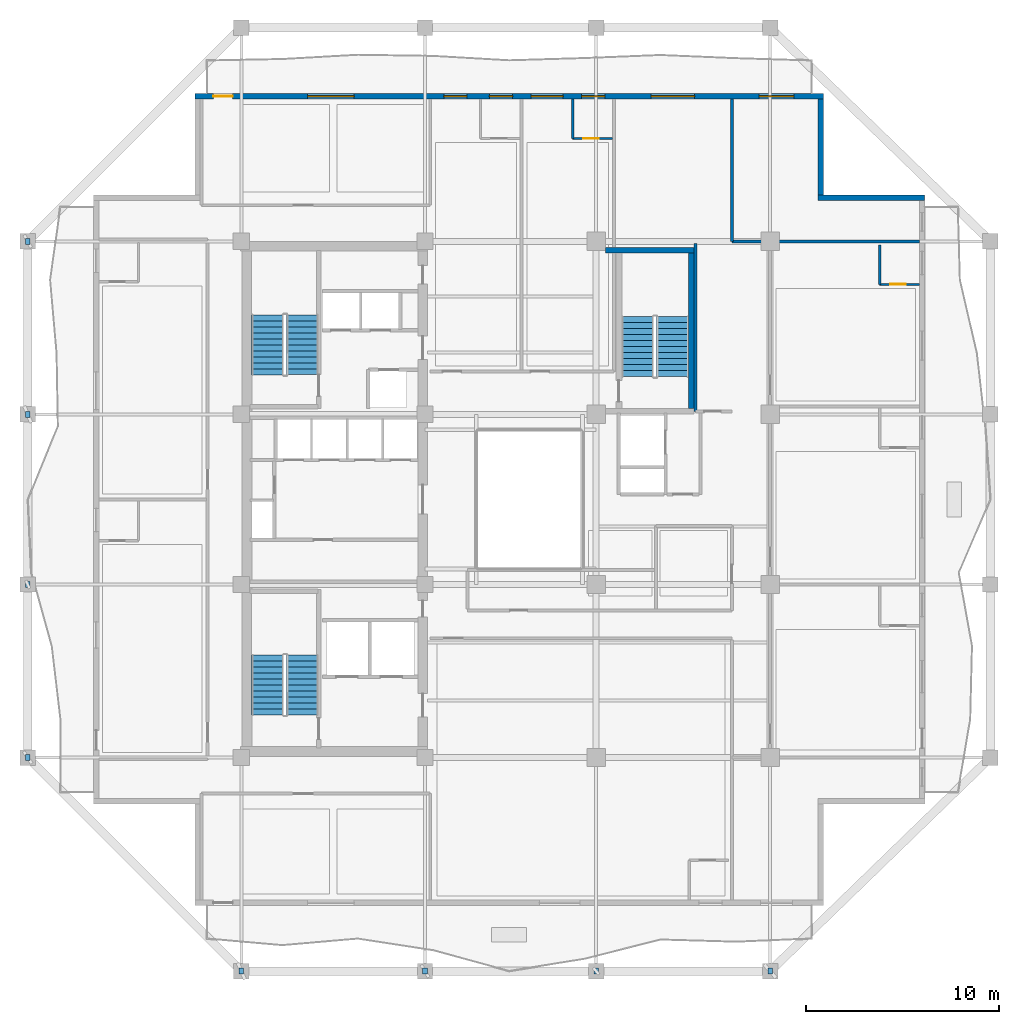
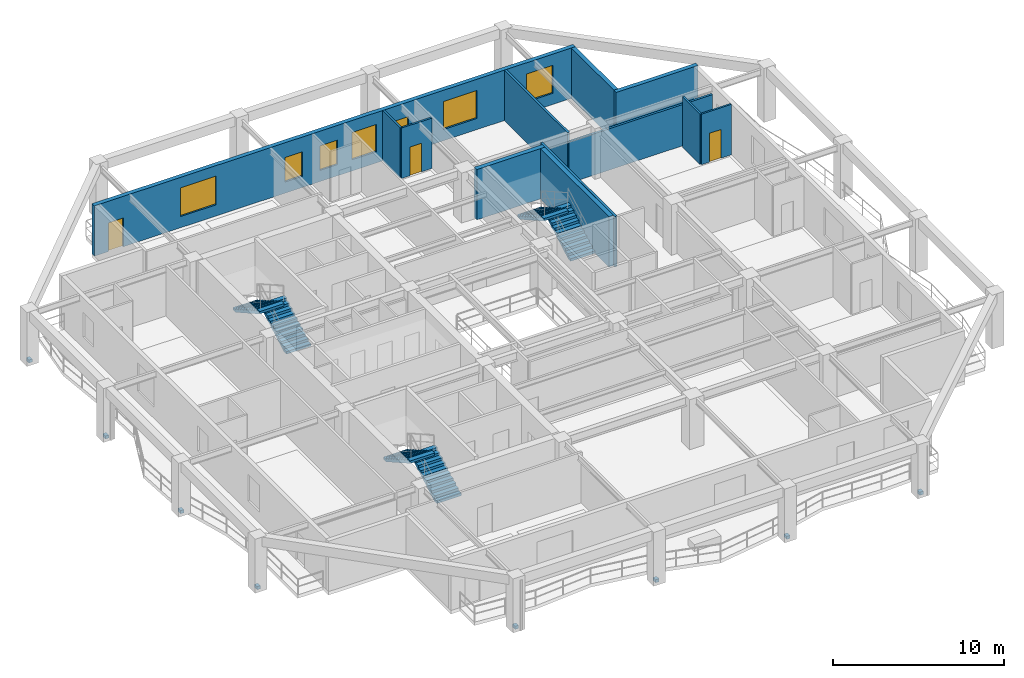
# One storey, part 6 of 12: 12 walls, 8 discrete accessories, 7 windows, 6 stair flights, 3 doors, 10 openings, 3 elements without a shape of their own.
"""IFC4 building model written with IfcOpenShell, lengths in metres."""

from ifc_helpers import new_model, si_unit, direction, frame, frame_2d, origin, origin_2d, place, context, subcontext, project, spatial, polyline, rectangle, outline, extrude, material, layer, layer_set, type_object, element, fill, aggregate, save


model = new_model("IFC4")

# Units and contexts
model_context = context("Model", 3, precision=1e-05, world=origin(), true_north=direction((0.0, 1.0)))
body_context = subcontext(model_context, "Body", "Model", "MODEL_VIEW")
ifc_project = project(units=[si_unit("LENGTHUNIT", "METRE"), si_unit("AREAUNIT", "SQUARE_METRE"), si_unit("VOLUMEUNIT", "CUBIC_METRE"), si_unit("PLANEANGLEUNIT", "RADIAN"), si_unit("MASSUNIT", "GRAM", prefix="KILO")], contexts=[model_context])

# Site, building, storey
site_placement = place(None, origin())
site = spatial("IfcSite", under=ifc_project, at=site_placement, CompositionType="ELEMENT")
building_placement = place(site_placement, origin())
building = spatial("IfcBuilding", under=site, at=building_placement, Name="Kundavana Baori Tower", CompositionType="ELEMENT")
storey_placement = place(building_placement, frame((0.0, 0.0, 196.39990234375)))
storey = spatial("IfcBuildingStorey", under=building, at=storey_placement, Name="L48", CompositionType="ELEMENT", Elevation=196.39990234375)

# Walls
ifc_material_1 = material(Name="Red-Buff Dholpur Sandstone Cladding on Concrete C40/50", Category="masonry")
ifc_layer_1 = layer(ifc_material_1, 0.280029296875, Name="WL-EXT-SAND-280")
ifc_layer_set_1 = layer_set([ifc_layer_1], Name="Red-Buff Dholpur Sandstone Cladding on Concrete C40/50")
wall_type_1 = type_object("IfcWallType", Name="WL-EXT-SAND-280", PredefinedType="STANDARD", material=ifc_layer_set_1)
wall_1_placement = place(storey_placement, frame((50.800048828125, 44.2099609375, 0.0), z_axis=(0.0, 0.0, 1.0), x_axis=(-1.0, 0.0, 0.0)))
element("IfcWall", 1, at=wall_1_placement, inside=storey, type_object=wall_type_1, Name="L48 Exterior Insulated Facade Wall 05", PredefinedType="STANDARD", context=body_context, shape_type="SweptSolid", body=[
    extrude(rectangle(XDim=5.530029296875, YDim=0.280029296875, at=frame_2d((2.76513671875, 0.0))), origin(), (0.0, 0.0, 1.0), 3.60009765625),
])
wall_2_placement = place(storey_placement, frame((45.409912109375, 44.35009765625, 0.0), z_axis=(0.0, 0.0, 1.0), x_axis=(0.0, 1.0, 0.0)))
element("IfcWall", 2, at=wall_2_placement, inside=storey, type_object=wall_type_1, Name="L48 Exterior Insulated Facade Wall 06", PredefinedType="STANDARD", context=body_context, shape_type="SweptSolid", body=[
    extrude(rectangle(XDim=4.969970703125, YDim=0.280029296875, at=frame_2d((2.48486328125, 0.0))), origin(), (0.0, 0.0, 1.0), 3.60009765625),
])

# Wall, openings, door, windows
wall_3_placement = place(storey_placement, frame((45.550048828125, 49.4599609375, 0.0), z_axis=(0.0, 0.0, 1.0), x_axis=(-1.0, 0.0, 0.0)))
wall_3 = element("IfcWall", 3, at=wall_3_placement, inside=storey, type_object=wall_type_1, Name="L48 Exterior Insulated Facade Wall 07", PredefinedType="STANDARD", context=body_context, shape_type="SweptSolid", body=[
    extrude(rectangle(XDim=32.5, YDim=0.280029296875, at=frame_2d((16.25, 0.0))), origin(), (0.0, 0.0, 1.0), 3.60009765625),
])
opening_1_placement = place(wall_3_placement, frame((30.550048828125, 0.0, 0.0)))
opening_1 = element("IfcOpeningElement", 4, at=opening_1_placement, cuts=wall_3, Name="Opening BD-1", PredefinedType="OPENING", context=body_context, shape_type="SweptSolid", body=[
    extrude(rectangle(XDim=1.0, YDim=2.050048828125, at=frame_2d((0.5, 1.02490234375))), frame((0.0, 0.14990234375, 0.0), z_axis=(0.0, -1.0, 0.0), x_axis=(1.0, 0.0, 0.0)), (0.0, 0.0, 1.0), 0.300048828125),
])
opening_2_placement = place(wall_3_placement, frame((24.27001953125, 0.0, 0.800048828125)))
opening_2 = element("IfcOpeningElement", 5, at=opening_2_placement, cuts=wall_3, Name="Opening W-04", PredefinedType="OPENING", context=body_context, shape_type="SweptSolid", body=[
    extrude(rectangle(XDim=2.39990234375, YDim=2.050048828125, at=frame_2d((1.199951171875, 1.02490234375))), frame((0.0, 0.14990234375, 0.0), z_axis=(0.0, -1.0, 0.0), x_axis=(1.0, 0.0, 0.0)), (0.0, 0.0, 1.0), 0.300048828125),
])
opening_3_placement = place(wall_3_placement, frame((18.429931640625, 0.0, 0.800048828125)))
opening_3 = element("IfcOpeningElement", 6, at=opening_3_placement, cuts=wall_3, Name="Opening W-03", PredefinedType="OPENING", context=body_context, shape_type="SweptSolid", body=[
    extrude(rectangle(XDim=1.199951171875, YDim=1.75, at=frame_2d((0.60009765625, 0.875))), frame((0.0, 0.14990234375, 0.0), z_axis=(0.0, -1.0, 0.0), x_axis=(1.0, 0.0, 0.0)), (0.0, 0.0, 1.0), 0.300048828125),
])
opening_4_placement = place(wall_3_placement, frame((16.06494140625, 0.0, 0.800048828125)))
opening_4 = element("IfcOpeningElement", 7, at=opening_4_placement, cuts=wall_3, Name="Opening W-03", PredefinedType="OPENING", context=body_context, shape_type="SweptSolid", body=[
    extrude(rectangle(XDim=1.199951171875, YDim=1.75, at=frame_2d((0.60009765625, 0.875))), frame((0.0, 0.14990234375, 0.0), z_axis=(0.0, -1.0, 0.0), x_axis=(1.0, 0.0, 0.0)), (0.0, 0.0, 1.0), 0.300048828125),
])
opening_5_placement = place(wall_3_placement, frame((13.455078125, 0.0, 0.800048828125)))
opening_5 = element("IfcOpeningElement", 8, at=opening_5_placement, cuts=wall_3, Name="Opening W-08", PredefinedType="OPENING", context=body_context, shape_type="SweptSolid", body=[
    extrude(rectangle(XDim=1.64990234375, YDim=1.949951171875, at=frame_2d((0.824951171875, 0.97509765625))), frame((0.0, 0.14990234375, 0.0), z_axis=(0.0, -1.0, 0.0), x_axis=(1.0, 0.0, 0.0)), (0.0, 0.0, 1.0), 0.300048828125),
])
opening_6_placement = place(wall_3_placement, frame((11.294921875, 0.0, 0.800048828125)))
opening_6 = element("IfcOpeningElement", 9, at=opening_6_placement, cuts=wall_3, Name="Opening W-03", PredefinedType="OPENING", context=body_context, shape_type="SweptSolid", body=[
    extrude(rectangle(XDim=1.199951171875, YDim=1.75, at=frame_2d((0.60009765625, 0.875))), frame((0.0, 0.14990234375, 0.0), z_axis=(0.0, -1.0, 0.0), x_axis=(1.0, 0.0, 0.0)), (0.0, 0.0, 1.0), 0.300048828125),
])
opening_7_placement = place(wall_3_placement, frame((6.655029296875, 0.0, 0.800048828125)))
opening_7 = element("IfcOpeningElement", 10, at=opening_7_placement, cuts=wall_3, Name="Opening W-10", PredefinedType="OPENING", context=body_context, shape_type="SweptSolid", body=[
    extrude(rectangle(XDim=2.25, YDim=2.0, at=frame_2d((1.125, 1.0))), frame((0.0, 0.14990234375, 0.0), z_axis=(0.0, -1.0, 0.0), x_axis=(1.0, 0.0, 0.0)), (0.0, 0.0, 1.0), 0.300048828125),
])
opening_8_placement = place(wall_3_placement, frame((1.52001953125, 0.0, 0.800048828125)))
opening_8 = element("IfcOpeningElement", 11, at=opening_8_placement, cuts=wall_3, Name="Opening W-01", PredefinedType="OPENING", context=body_context, shape_type="SweptSolid", body=[
    extrude(rectangle(XDim=1.800048828125, YDim=2.0, at=frame_2d((0.89990234375, 1.0))), frame((0.0, 0.14990234375, 0.0), z_axis=(0.0, -1.0, 0.0), x_axis=(1.0, 0.0, 0.0)), (0.0, 0.0, 1.0), 0.300048828125),
])
ifc_material_2 = material(Name="Architectural Patinated Bronze Metalwork")
door_type_1 = type_object("IfcDoorType", Name="DR-EXT-LOG-1000", OperationType="NOTDEFINED", PredefinedType="DOOR", material=ifc_material_2)
door_1_placement = place(opening_1_placement, frame((1.0, 0.0, 0.0), z_axis=(0.0, 0.0, 1.0), x_axis=(-1.0, 0.0, 0.0)))
door_1 = element("IfcDoor", 12, at=door_1_placement, inside=storey, type_object=door_type_1, Name="L48 Loggia Balcony Access Door N", OperationType="SINGLE_SWING_LEFT", OverallHeight=2.050048828125, OverallWidth=1.0, PredefinedType="DOOR", context=body_context, shape_type="SweptSolid", body=[
    extrude(rectangle(XDim=1.0, YDim=2.050048828125, at=frame_2d((0.5, 1.02490234375))), frame((0.0, 0.02490234375, 0.0), z_axis=(0.0, -1.0, 0.0), x_axis=(1.0, 0.0, 0.0)), (0.0, 0.0, 1.0), 0.050048828125),
])
fill(opening_1, door_1)
ifc_material_3 = material(Name="Double-Glazed Solar-Control Low-E Insulated Glass", Category="glass")
window_type_1 = type_object("IfcWindowType", Name="WIN-LOG-1200x1750", PartitioningType="SINGLE_PANEL", PredefinedType="WINDOW", material=ifc_material_3)
window_1_placement = place(opening_3_placement, origin())
window_1 = element("IfcWindow", 13, at=window_1_placement, inside=storey, type_object=window_type_1, Name="L48 Recessed Loggia Window N-2", OverallHeight=1.75, OverallWidth=1.199951171875, PartitioningType="SINGLE_PANEL", PredefinedType="WINDOW", context=body_context, shape_type="SweptSolid", body=[
    extrude(rectangle(XDim=1.199951171875, YDim=1.75, at=frame_2d((0.60009765625, 0.875))), frame((0.0, 0.030029296875, 0.0), z_axis=(0.0, -1.0, 0.0), x_axis=(1.0, 0.0, 0.0)), (0.0, 0.0, 1.0), 0.06005859375),
])
fill(opening_3, window_1)
window_2_placement = place(opening_4_placement, origin())
window_2 = element("IfcWindow", 14, at=window_2_placement, inside=storey, type_object=window_type_1, Name="L48 Recessed Loggia Window N-3", OverallHeight=1.75, OverallWidth=1.199951171875, PartitioningType="SINGLE_PANEL", PredefinedType="WINDOW", context=body_context, shape_type="SweptSolid", body=[
    extrude(rectangle(XDim=1.199951171875, YDim=1.75, at=frame_2d((0.60009765625, 0.875))), frame((0.0, 0.030029296875, 0.0), z_axis=(0.0, -1.0, 0.0), x_axis=(1.0, 0.0, 0.0)), (0.0, 0.0, 1.0), 0.06005859375),
])
fill(opening_4, window_2)
window_3_placement = place(opening_6_placement, origin())
window_3 = element("IfcWindow", 15, at=window_3_placement, inside=storey, type_object=window_type_1, Name="L48 Recessed Loggia Window N-5", OverallHeight=1.75, OverallWidth=1.199951171875, PartitioningType="SINGLE_PANEL", PredefinedType="WINDOW", context=body_context, shape_type="SweptSolid", body=[
    extrude(rectangle(XDim=1.199951171875, YDim=1.75, at=frame_2d((0.60009765625, 0.875))), frame((0.0, 0.030029296875, 0.0), z_axis=(0.0, -1.0, 0.0), x_axis=(1.0, 0.0, 0.0)), (0.0, 0.0, 1.0), 0.06005859375),
])
fill(opening_6, window_3)
ifc_material_4 = material(Name="Double-Glazed Solar-Control Low-E Insulated Glass", Category="glass")
window_type_2 = type_object("IfcWindowType", Name="WIN-LOG-1650x1950", PartitioningType="SINGLE_PANEL", PredefinedType="WINDOW", material=ifc_material_4)
window_4_placement = place(opening_5_placement, origin())
window_4 = element("IfcWindow", 16, at=window_4_placement, inside=storey, type_object=window_type_2, Name="L48 Recessed Loggia Window N-4", OverallHeight=1.949951171875, OverallWidth=1.64990234375, PartitioningType="SINGLE_PANEL", PredefinedType="WINDOW", context=body_context, shape_type="SweptSolid", body=[
    extrude(rectangle(XDim=1.64990234375, YDim=1.949951171875, at=frame_2d((0.824951171875, 0.97509765625))), frame((0.0, 0.030029296875, 0.0), z_axis=(0.0, -1.0, 0.0), x_axis=(1.0, 0.0, 0.0)), (0.0, 0.0, 1.0), 0.06005859375),
])
fill(opening_5, window_4)
ifc_material_5 = material(Name="Double-Glazed Solar-Control Low-E Insulated Glass", Category="glass")
window_type_3 = type_object("IfcWindowType", Name="WIN-LOG-1800x2000", PartitioningType="SINGLE_PANEL", PredefinedType="WINDOW", material=ifc_material_5)
window_5_placement = place(opening_8_placement, origin())
window_5 = element("IfcWindow", 17, at=window_5_placement, inside=storey, type_object=window_type_3, Name="L48 Recessed Loggia Window N-7", OverallHeight=2.0, OverallWidth=1.800048828125, PartitioningType="SINGLE_PANEL", PredefinedType="WINDOW", context=body_context, shape_type="SweptSolid", body=[
    extrude(rectangle(XDim=1.800048828125, YDim=2.0, at=frame_2d((0.89990234375, 1.0))), frame((0.0, 0.030029296875, 0.0), z_axis=(0.0, -1.0, 0.0), x_axis=(1.0, 0.0, 0.0)), (0.0, 0.0, 1.0), 0.06005859375),
])
fill(opening_8, window_5)
ifc_material_6 = material(Name="Double-Glazed Solar-Control Low-E Insulated Glass", Category="glass")
window_type_4 = type_object("IfcWindowType", Name="WIN-LOG-2250x2000", PartitioningType="SINGLE_PANEL", PredefinedType="WINDOW", material=ifc_material_6)
window_6_placement = place(opening_7_placement, origin())
window_6 = element("IfcWindow", 18, at=window_6_placement, inside=storey, type_object=window_type_4, Name="L48 Recessed Loggia Window N-6", OverallHeight=2.0, OverallWidth=2.25, PartitioningType="SINGLE_PANEL", PredefinedType="WINDOW", context=body_context, shape_type="SweptSolid", body=[
    extrude(rectangle(XDim=2.25, YDim=2.0, at=frame_2d((1.125, 1.0))), frame((0.0, 0.030029296875, 0.0), z_axis=(0.0, -1.0, 0.0), x_axis=(1.0, 0.0, 0.0)), (0.0, 0.0, 1.0), 0.06005859375),
])
fill(opening_7, window_6)
ifc_material_7 = material(Name="Double-Glazed Solar-Control Low-E Insulated Glass", Category="glass")
window_type_5 = type_object("IfcWindowType", Name="WIN-LOG-2400x2050", PartitioningType="SINGLE_PANEL", PredefinedType="WINDOW", material=ifc_material_7)
window_7_placement = place(opening_2_placement, origin())
window_7 = element("IfcWindow", 19, at=window_7_placement, inside=storey, type_object=window_type_5, Name="L48 Recessed Loggia Window N-1", OverallHeight=2.050048828125, OverallWidth=2.39990234375, PartitioningType="SINGLE_PANEL", PredefinedType="WINDOW", context=body_context, shape_type="SweptSolid", body=[
    extrude(rectangle(XDim=2.39990234375, YDim=2.050048828125, at=frame_2d((1.199951171875, 1.02490234375))), frame((0.0, 0.030029296875, 0.0), z_axis=(0.0, -1.0, 0.0), x_axis=(1.0, 0.0, 0.0)), (0.0, 0.0, 1.0), 0.06005859375),
])
fill(opening_2, window_7)

# Walls
ifc_material_8 = material(Name="Fire-Rated Gypsum Drywall on Galvanised Steel Studs", Category="steel")
ifc_layer_2 = layer(ifc_material_8, 0.14990234375, Name="WL-PART-150")
ifc_layer_set_2 = layer_set([ifc_layer_2], Name="Fire-Rated Gypsum Drywall on Galvanised Steel Studs")
wall_type_2 = type_object("IfcWallType", Name="WL-PART-150", PredefinedType="PARTITIONING", material=ifc_layer_set_2)
wall_4_placement = place(storey_placement, frame((40.820068359375, 41.949951171875, 0.0), z_axis=(0.0, 0.0, 1.0), x_axis=(1.0, 0.0, 0.0)))
element("IfcWall", 20, at=wall_4_placement, inside=storey, type_object=wall_type_2, Name="WL-L48-HEN", PredefinedType="PARTITIONING", context=body_context, shape_type="SweptSolid", body=[
    extrude(rectangle(XDim=9.699951171875, YDim=0.14990234375, at=frame_2d((4.85009765625, 0.0))), origin(), (0.0, 0.0, 1.0), 2.9501953125),
])
wall_5_placement = place(storey_placement, frame((38.949951171875, 33.14990234375, 0.0), z_axis=(0.0, 0.0, 1.0), x_axis=(0.0, 1.0, 0.0)))
element("IfcWall", 21, at=wall_5_placement, inside=storey, type_object=wall_type_2, Name="WL-L48-HNEW", PredefinedType="PARTITIONING", context=body_context, shape_type="SweptSolid", body=[
    extrude(rectangle(XDim=8.7001953125, YDim=0.14990234375, at=frame_2d((4.35009765625, 0.0))), origin(), (0.0, 0.0, 1.0), 3.60009765625),
])
wall_6_placement = place(storey_placement, frame((40.820068359375, 41.949951171875, 0.0), z_axis=(0.0, 0.0, 1.0), x_axis=(0.0, 1.0, 0.0)))
element("IfcWall", 22, at=wall_6_placement, inside=storey, type_object=wall_type_2, Name="WL-L48-HNEE", PredefinedType="PARTITIONING", context=body_context, shape_type="SweptSolid", body=[
    extrude(rectangle(XDim=7.3701171875, YDim=0.14990234375, at=frame_2d((3.68505859375, 0.0))), origin(), (0.0, 0.0, 1.0), 3.60009765625),
])
ifc_material_9 = material(Name="Concrete C50/60", Category="concrete")
ifc_layer_3 = layer(ifc_material_9, 0.300048828125, Name="WL-ST3-300")
ifc_layer_set_3 = layer_set([ifc_layer_3], Name="Concrete C50/60")
wall_type_3 = type_object("IfcWallType", Name="WL-ST3-300", PredefinedType="SHEAR", material=ifc_layer_set_3)
wall_7_placement = place(storey_placement, frame((34.27490234375, 41.489990234375, 0.0), z_axis=(0.0, 0.0, 1.0), x_axis=(1.0, 0.0, 0.0)))
element("IfcWall", 23, at=wall_7_placement, inside=storey, type_object=wall_type_3, Name="L48 Stair ST3 North Shear Wall", PredefinedType="SHEAR", context=body_context, shape_type="SweptSolid", body=[
    extrude(rectangle(XDim=4.59521484375, YDim=0.300048828125, at=frame_2d((2.297607421875, 0.0))), origin(), (0.0, 0.0, 1.0), 3.60009765625),
])
wall_8_placement = place(storey_placement, frame((38.719970703125, 33.31005859375, 0.0), z_axis=(0.0, 0.0, 1.0), x_axis=(0.0, 1.0, 0.0)))
element("IfcWall", 24, at=wall_8_placement, inside=storey, type_object=wall_type_3, Name="L48 Stair ST3 East Shear Wall", PredefinedType="SHEAR", context=body_context, shape_type="SweptSolid", body=[
    extrude(rectangle(XDim=8.030029296875, YDim=0.300048828125, at=frame_2d((4.01513671875, 0.0))), origin(), (0.0, 0.0, 1.0), 3.60009765625),
])
ifc_material_10 = material(Name="Autoclaved Aerated Concrete Blockwork Masonry", Category="masonry")
ifc_layer_4 = layer(ifc_material_10, 0.125, Name="WL-WET-120")
ifc_layer_set_4 = layer_set([ifc_layer_4], Name="Autoclaved Aerated Concrete Blockwork Masonry")
wall_type_4 = type_object("IfcWallType", Name="WL-WET-120", PredefinedType="PLUMBINGWALL", material=ifc_layer_set_4)
wall_9_placement = place(storey_placement, frame((48.469970703125, 39.719970703125, 0.0), z_axis=(0.0, 0.0, 1.0), x_axis=(0.0, 1.0, 0.0)))
element("IfcWall", 25, at=wall_9_placement, inside=storey, type_object=wall_type_4, Name="WL-L48-HK-E3-BW", PredefinedType="PLUMBINGWALL", context=body_context, shape_type="SweptSolid", body=[
    extrude(rectangle(XDim=2.050048828125, YDim=0.125, at=frame_2d((1.02490234375, 0.0))), origin(), (0.0, 0.0, 1.0), 3.60009765625),
])

# Wall, opening, door
wall_10_placement = place(storey_placement, frame((48.469970703125, 39.719970703125, 0.0), z_axis=(0.0, 0.0, 1.0), x_axis=(1.0, 0.0, 0.0)))
wall_10 = element("IfcWall", 26, at=wall_10_placement, inside=storey, type_object=wall_type_4, Name="WL-L48-HK-E3-BS", PredefinedType="PLUMBINGWALL", context=body_context, shape_type="SweptSolid", body=[
    extrude(rectangle(XDim=2.050048828125, YDim=0.125, at=frame_2d((1.02490234375, 0.0))), origin(), (0.0, 0.0, 1.0), 3.60009765625),
])
opening_9_placement = place(wall_10_placement, frame((0.550048828125, 0.0, 0.0)))
opening_9 = element("IfcOpeningElement", 27, at=opening_9_placement, cuts=wall_10, Name="Opening WD-080", PredefinedType="OPENING", context=body_context, shape_type="SweptSolid", body=[
    extrude(rectangle(XDim=0.800048828125, YDim=2.050048828125, at=frame_2d((0.39990234375, 1.02490234375))), frame((0.0, 0.072509765625, 0.0), z_axis=(0.0, -1.0, 0.0), x_axis=(1.0, 0.0, 0.0)), (0.0, 0.0, 1.0), 0.14501953125),
])
ifc_material_11 = material(Name="Engineered Teak Solid-Core Timber Veneer", Category="wood")
door_type_2 = type_object("IfcDoorType", Name="DR-WET-800", OperationType="NOTDEFINED", PredefinedType="DOOR", material=ifc_material_11)
door_2_placement = place(opening_9_placement, frame((0.800048828125, 0.0, 0.0), z_axis=(0.0, 0.0, 1.0), x_axis=(-1.0, 0.0, 0.0)))
door_2 = element("IfcDoor", 28, at=door_2_placement, inside=storey, type_object=door_type_2, Name="DR-L48-HK-E3-ENS", OperationType="SINGLE_SWING_LEFT", OverallHeight=2.050048828125, OverallWidth=0.800048828125, PredefinedType="DOOR", context=body_context, shape_type="SweptSolid", body=[
    extrude(rectangle(XDim=0.800048828125, YDim=2.050048828125, at=frame_2d((0.39990234375, 1.02490234375))), frame((0.0, 0.02490234375, 0.0), z_axis=(0.0, -1.0, 0.0), x_axis=(1.0, 0.0, 0.0)), (0.0, 0.0, 1.0), 0.050048828125),
])
fill(opening_9, door_2)

# Wall
wall_11_placement = place(storey_placement, frame((32.590087890625, 47.27001953125, 0.0), z_axis=(0.0, 0.0, 1.0), x_axis=(0.0, 1.0, 0.0)))
element("IfcWall", 29, at=wall_11_placement, inside=storey, type_object=wall_type_4, Name="WL-L48-HK-N2-BW", PredefinedType="PLUMBINGWALL", context=body_context, shape_type="SweptSolid", body=[
    extrude(rectangle(XDim=2.050048828125, YDim=0.125, at=frame_2d((1.02490234375, 0.0))), origin(), (0.0, 0.0, 1.0), 3.60009765625),
])

# Wall, opening, door
wall_12_placement = place(storey_placement, frame((32.590087890625, 47.27001953125, 0.0), z_axis=(0.0, 0.0, 1.0), x_axis=(1.0, 0.0, 0.0)))
wall_12 = element("IfcWall", 30, at=wall_12_placement, inside=storey, type_object=wall_type_4, Name="WL-L48-HK-N2-BS", PredefinedType="PLUMBINGWALL", context=body_context, shape_type="SweptSolid", body=[
    extrude(rectangle(XDim=2.0498046875, YDim=0.125, at=frame_2d((1.02490234375, 0.0))), origin(), (0.0, 0.0, 1.0), 3.60009765625),
])
opening_10_placement = place(wall_12_placement, frame((0.550048828125, 0.0, 0.0)))
opening_10 = element("IfcOpeningElement", 31, at=opening_10_placement, cuts=wall_12, Name="Opening WD-080", PredefinedType="OPENING", context=body_context, shape_type="SweptSolid", body=[
    extrude(rectangle(XDim=0.800048828125, YDim=2.050048828125, at=frame_2d((0.39990234375, 1.02490234375))), frame((0.0, 0.072509765625, 0.0), z_axis=(0.0, -1.0, 0.0), x_axis=(1.0, 0.0, 0.0)), (0.0, 0.0, 1.0), 0.14501953125),
])
door_3_placement = place(opening_10_placement, frame((0.800048828125, 0.0, 0.0), z_axis=(0.0, 0.0, 1.0), x_axis=(-1.0, 0.0, 0.0)))
door_3 = element("IfcDoor", 32, at=door_3_placement, inside=storey, type_object=door_type_2, Name="DR-L48-HK-N2-ENS", OperationType="SINGLE_SWING_LEFT", OverallHeight=2.050048828125, OverallWidth=0.800048828125, PredefinedType="DOOR", context=body_context, shape_type="SweptSolid", body=[
    extrude(rectangle(XDim=0.800048828125, YDim=2.050048828125, at=frame_2d((0.39990234375, 1.02490234375))), frame((0.0, 0.02490234375, 0.0), z_axis=(0.0, -1.0, 0.0), x_axis=(1.0, 0.0, 0.0)), (0.0, 0.0, 1.0), 0.050048828125),
])
fill(opening_10, door_3)

# Stair, stair flights
ifc_material_12 = material(Name="Concrete C40/50", Category="concrete")
stair_type = type_object("IfcStairType", Name="STR-DOG-1650", PredefinedType="HALF_TURN_STAIR", material=ifc_material_12)
stair_1_placement = place(storey_placement, origin())
stair_1 = element("IfcStair", 33, at=stair_1_placement, inside=storey, type_object=stair_type, Name="L48 Protected Exit Stair ST1", PredefinedType="HALF_TURN_STAIR")
ifc_material_13 = material(Name="Concrete C40/50", Category="concrete")
stair_flight_type = type_object("IfcStairFlightType", Name="SFL-RC-1650", PredefinedType="STRAIGHT", material=ifc_material_13)
stair_flight_1_placement = place(storey_placement, frame((18.614990234375, 17.449951171875, 0.0), z_axis=(0.0, 0.0, 1.0), x_axis=(0.0, 1.0, 0.0)))
stair_flight_1 = element("IfcStairFlight", 34, at=stair_flight_1_placement, type_object=stair_flight_type, Name="ST1 flight 1", NumberOfRisers=11, NumberOfTreads=10, PredefinedType="STRAIGHT", RiserHeight=0.175, TreadLength=0.31, context=body_context, shape_type="SweptSolid", body=[
    extrude(outline(polyline([(0.0, 0.0), (0.0, 0.175048828125), (0.31005859375, 0.175048828125), (0.31005859375, 0.35009765625), (0.6201171875, 0.35009765625), (0.6201171875, 0.52490234375), (0.929931640625, 0.52490234375), (0.929931640625, 0.699951171875), (1.239990234375, 0.699951171875), (1.239990234375, 0.875), (1.550048828125, 0.875), (1.550048828125, 1.050048828125), (1.860107421875, 1.050048828125), (1.860107421875, 1.22509765625), (2.169921875, 1.22509765625), (2.169921875, 1.39990234375), (2.47998046875, 1.39990234375), (2.47998046875, 1.574951171875), (2.7900390625, 1.574951171875), (2.7900390625, 1.75), (3.10009765625, 1.75), (3.10009765625, 1.925048828125), (3.10009765625, 1.577880859375), (0.304931640625, 0.0), (0.0, 0.0)])), frame((0.0, 0.824951171875, 0.0), z_axis=(0.0, -1.0, 0.0), x_axis=(1.0, 0.0, 0.0)), (0.0, 0.0, 1.0), 1.64990234375),
])
stair_flight_2_placement = place(storey_placement, frame((16.804931640625, 20.550048828125, 1.925048828125), z_axis=(0.0, 0.0, 1.0), x_axis=(0.0, -1.0, 0.0)))
stair_flight_2 = element("IfcStairFlight", 35, at=stair_flight_2_placement, type_object=stair_flight_type, Name="ST1 flight 2", NumberOfRisers=11, NumberOfTreads=10, PredefinedType="STRAIGHT", RiserHeight=0.175, TreadLength=0.31, context=body_context, shape_type="SweptSolid", body=[
    extrude(outline(polyline([(0.0, 0.0), (0.0, 0.175048828125), (0.31005859375, 0.175048828125), (0.31005859375, 0.35009765625), (0.6201171875, 0.35009765625), (0.6201171875, 0.52490234375), (0.929931640625, 0.52490234375), (0.929931640625, 0.699951171875), (1.239990234375, 0.699951171875), (1.239990234375, 0.875), (1.550048828125, 0.875), (1.550048828125, 1.050048828125), (1.860107421875, 1.050048828125), (1.860107421875, 1.22509765625), (2.169921875, 1.22509765625), (2.169921875, 1.39990234375), (2.47998046875, 1.39990234375), (2.47998046875, 1.574951171875), (2.7900390625, 1.574951171875), (2.7900390625, 1.75), (3.10009765625, 1.75), (3.10009765625, 1.925048828125), (3.10009765625, 1.577880859375), (0.304931640625, 0.0), (0.0, 0.0)])), frame((0.0, 0.824951171875, 0.0), z_axis=(0.0, -1.0, 0.0), x_axis=(1.0, 0.0, 0.0)), (0.0, 0.0, 1.0), 1.64990234375),
])
aggregate(stair_1, [stair_flight_1, stair_flight_2])

stair_2_placement = place(storey_placement, origin())
stair_2 = element("IfcStair", 36, at=stair_2_placement, inside=storey, type_object=stair_type, Name="L48 Protected Exit Stair ST2", PredefinedType="HALF_TURN_STAIR")
stair_flight_3_placement = place(storey_placement, frame((18.614990234375, 35.050048828125, 0.0), z_axis=(0.0, 0.0, 1.0), x_axis=(0.0, 1.0, 0.0)))
stair_flight_3 = element("IfcStairFlight", 37, at=stair_flight_3_placement, type_object=stair_flight_type, Name="ST2 flight 1", NumberOfRisers=11, NumberOfTreads=10, PredefinedType="STRAIGHT", RiserHeight=0.175, TreadLength=0.31, context=body_context, shape_type="SweptSolid", body=[
    extrude(outline(polyline([(0.0, 0.0), (0.0, 0.175048828125), (0.31005859375, 0.175048828125), (0.31005859375, 0.35009765625), (0.6201171875, 0.35009765625), (0.6201171875, 0.52490234375), (0.929931640625, 0.52490234375), (0.929931640625, 0.699951171875), (1.239990234375, 0.699951171875), (1.239990234375, 0.875), (1.550048828125, 0.875), (1.550048828125, 1.050048828125), (1.860107421875, 1.050048828125), (1.860107421875, 1.22509765625), (2.169921875, 1.22509765625), (2.169921875, 1.39990234375), (2.47998046875, 1.39990234375), (2.47998046875, 1.574951171875), (2.7900390625, 1.574951171875), (2.7900390625, 1.75), (3.10009765625, 1.75), (3.10009765625, 1.925048828125), (3.10009765625, 1.577880859375), (0.304931640625, 0.0), (0.0, 0.0)])), frame((0.0, 0.824951171875, 0.0), z_axis=(0.0, -1.0, 0.0), x_axis=(1.0, 0.0, 0.0)), (0.0, 0.0, 1.0), 1.64990234375),
])
stair_flight_4_placement = place(storey_placement, frame((16.804931640625, 38.14990234375, 1.925048828125), z_axis=(0.0, 0.0, 1.0), x_axis=(0.0, -1.0, 0.0)))
stair_flight_4 = element("IfcStairFlight", 38, at=stair_flight_4_placement, type_object=stair_flight_type, Name="ST2 flight 2", NumberOfRisers=11, NumberOfTreads=10, PredefinedType="STRAIGHT", RiserHeight=0.175, TreadLength=0.31, context=body_context, shape_type="SweptSolid", body=[
    extrude(outline(polyline([(0.0, 0.0), (0.0, 0.175048828125), (0.31005859375, 0.175048828125), (0.31005859375, 0.35009765625), (0.6201171875, 0.35009765625), (0.6201171875, 0.52490234375), (0.929931640625, 0.52490234375), (0.929931640625, 0.699951171875), (1.239990234375, 0.699951171875), (1.239990234375, 0.875), (1.550048828125, 0.875), (1.550048828125, 1.050048828125), (1.860107421875, 1.050048828125), (1.860107421875, 1.22509765625), (2.169921875, 1.22509765625), (2.169921875, 1.39990234375), (2.47998046875, 1.39990234375), (2.47998046875, 1.574951171875), (2.7900390625, 1.574951171875), (2.7900390625, 1.75), (3.10009765625, 1.75), (3.10009765625, 1.925048828125), (3.10009765625, 1.577880859375), (0.304931640625, 0.0), (0.0, 0.0)])), frame((0.0, 0.824951171875, 0.0), z_axis=(0.0, -1.0, 0.0), x_axis=(1.0, 0.0, 0.0)), (0.0, 0.0, 1.0), 1.64990234375),
])
aggregate(stair_2, [stair_flight_3, stair_flight_4])

stair_3_placement = place(storey_placement, origin())
stair_3 = element("IfcStair", 39, at=stair_3_placement, inside=storey, type_object=stair_type, Name="L48 Protected Exit Stair ST3", PredefinedType="HALF_TURN_STAIR")
stair_flight_5_placement = place(storey_placement, frame((37.7548828125, 34.949951171875, 0.0), z_axis=(0.0, 0.0, 1.0), x_axis=(0.0, 1.0, 0.0)))
stair_flight_5 = element("IfcStairFlight", 40, at=stair_flight_5_placement, type_object=stair_flight_type, Name="ST3 flight 1", NumberOfRisers=11, NumberOfTreads=10, PredefinedType="STRAIGHT", RiserHeight=0.175, TreadLength=0.31, context=body_context, shape_type="SweptSolid", body=[
    extrude(outline(polyline([(0.0, 0.0), (0.0, 0.175048828125), (0.31005859375, 0.175048828125), (0.31005859375, 0.35009765625), (0.6201171875, 0.35009765625), (0.6201171875, 0.52490234375), (0.929931640625, 0.52490234375), (0.929931640625, 0.699951171875), (1.239990234375, 0.699951171875), (1.239990234375, 0.875), (1.550048828125, 0.875), (1.550048828125, 1.050048828125), (1.860107421875, 1.050048828125), (1.860107421875, 1.22509765625), (2.169921875, 1.22509765625), (2.169921875, 1.39990234375), (2.47998046875, 1.39990234375), (2.47998046875, 1.574951171875), (2.7900390625, 1.574951171875), (2.7900390625, 1.75), (3.10009765625, 1.75), (3.10009765625, 1.925048828125), (3.10009765625, 1.577880859375), (0.304931640625, 0.0), (0.0, 0.0)])), frame((0.0, 0.824951171875, 0.0), z_axis=(0.0, -1.0, 0.0), x_axis=(1.0, 0.0, 0.0)), (0.0, 0.0, 1.0), 1.64990234375),
])
stair_flight_6_placement = place(storey_placement, frame((35.945068359375, 38.050048828125, 1.925048828125), z_axis=(0.0, 0.0, 1.0), x_axis=(0.0, -1.0, 0.0)))
stair_flight_6 = element("IfcStairFlight", 41, at=stair_flight_6_placement, type_object=stair_flight_type, Name="ST3 flight 2", NumberOfRisers=11, NumberOfTreads=10, PredefinedType="STRAIGHT", RiserHeight=0.175, TreadLength=0.31, context=body_context, shape_type="SweptSolid", body=[
    extrude(outline(polyline([(0.0, 0.0), (0.0, 0.175048828125), (0.31005859375, 0.175048828125), (0.31005859375, 0.35009765625), (0.6201171875, 0.35009765625), (0.6201171875, 0.52490234375), (0.929931640625, 0.52490234375), (0.929931640625, 0.699951171875), (1.239990234375, 0.699951171875), (1.239990234375, 0.875), (1.550048828125, 0.875), (1.550048828125, 1.050048828125), (1.860107421875, 1.050048828125), (1.860107421875, 1.22509765625), (2.169921875, 1.22509765625), (2.169921875, 1.39990234375), (2.47998046875, 1.39990234375), (2.47998046875, 1.574951171875), (2.7900390625, 1.574951171875), (2.7900390625, 1.75), (3.10009765625, 1.75), (3.10009765625, 1.925048828125), (3.10009765625, 1.577880859375), (0.304931640625, 0.0), (0.0, 0.0)])), frame((0.0, 0.824951171875, 0.0), z_axis=(0.0, -1.0, 0.0), x_axis=(1.0, 0.0, 0.0)), (0.0, 0.0, 1.0), 1.64990234375),
])
aggregate(stair_3, [stair_flight_5, stair_flight_6])

# Discrete accessories
ifc_material_14 = material(Name="Structural Steel S355JR", Category="steel")
discrete_accessory_type = type_object("IfcDiscreteAccessoryType", Name="ACC-BRK-FIN", PredefinedType="BRACKET", material=ifc_material_14)
for number, where, z_axis, x_axis, name in (
    (42, (15.449951171875, 4.199951171875, 0.0), (0.0, 0.0, 1.0), (1.0, 0.0, 0.0), "L48 Stainless Fin Anchor Bracket 1"),
    (43, (24.949951171875, 4.199951171875, 0.0), (0.0, 0.0, 1.0), (1.0, 0.0, 0.0), "L48 Stainless Fin Anchor Bracket 2"),
    (44, (33.800048828125, 4.199951171875, 0.0), (0.0, 0.0, 1.0), (1.0, 0.0, 0.0), "L48 Stainless Fin Anchor Bracket 3"),
    (45, (42.800048828125, 4.199951171875, 0.0), (0.0, 0.0, 1.0), (1.0, 0.0, 0.0), "L48 Stainless Fin Anchor Bracket 4"),
    (46, (4.39990234375, 15.25, 0.0), (0.0, 0.0, 1.0), (1.0, 0.0, 0.0), "L48 Stainless Fin Anchor Bracket 5"),
    (47, (4.39990234375, 24.199951171875, 0.0), (0.0, 0.0, 1.0), (1.0, 0.0, 0.0), "L48 Stainless Fin Anchor Bracket 6"),
    (48, (4.39990234375, 33.0, 0.0), (0.0, 0.0, 1.0), (1.0, 0.0, 0.0), "L48 Stainless Fin Anchor Bracket 7"),
    (49, (4.39990234375, 41.949951171875, 0.0), (0.0, 0.0, 1.0), (1.0, 0.0, 0.0), "L48 Stainless Fin Anchor Bracket 8"),
):
    element("IfcDiscreteAccessory", number, at=place(storey_placement, frame(where, z_axis=z_axis, x_axis=x_axis)), inside=storey, type_object=discrete_accessory_type, Name=name, PredefinedType="BRACKET", context=body_context, shape_type="SweptSolid", body=[
        extrude(rectangle(XDim=0.239990234375, YDim=0.300048828125, at=origin_2d()), origin(), (0.0, 0.0, 1.0), 0.219970703125),
    ])

save(model, "model.ifc")
